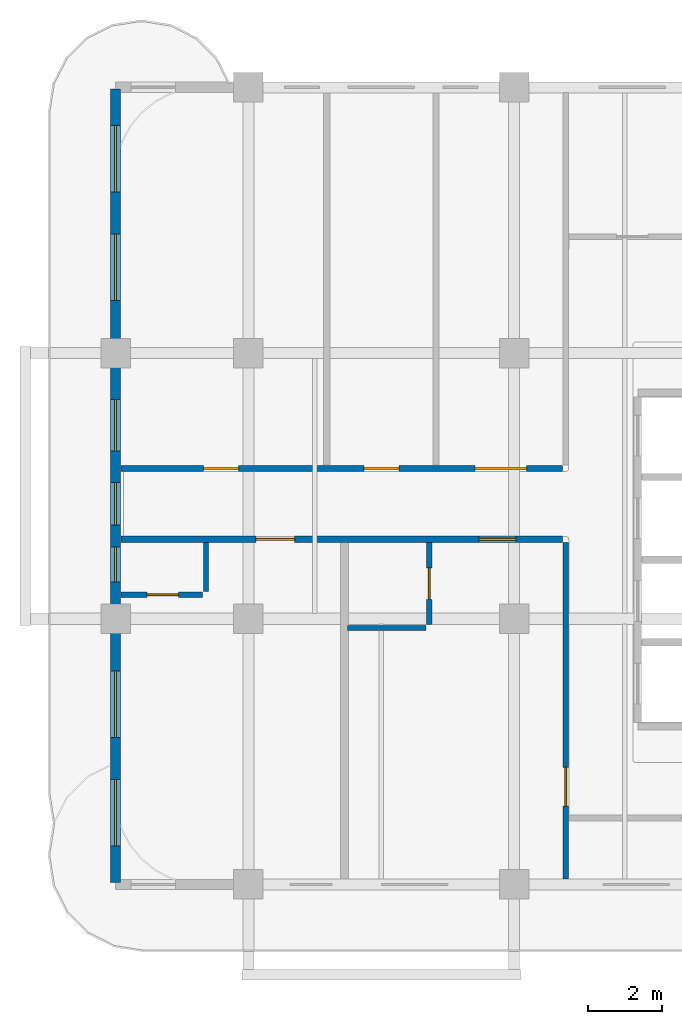
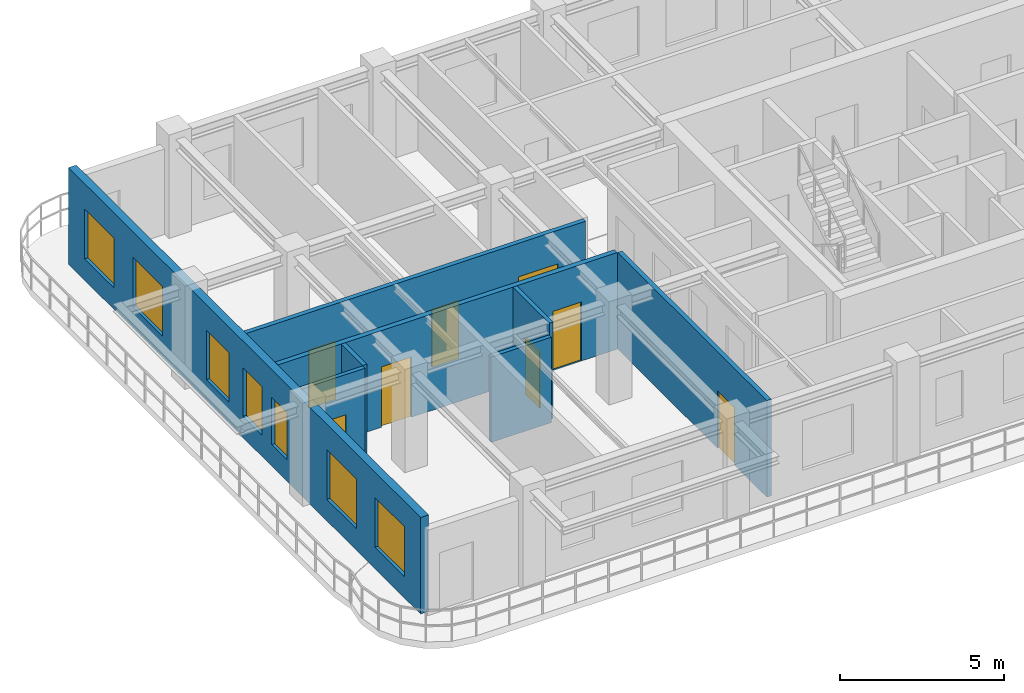
# One storey, part 2 of 7: 8 doors, 8 walls, 7 windows, 15 openings.
"""IFC4 building model written with IfcOpenShell, lengths in metres."""

from ifc_helpers import new_model, si_unit, derived_unit, direction, frame, frame_2d, origin, place, context, subcontext, project, spatial, rectangle, extrude, source, transform, mapped, material, layer, layer_set, type_object, type_shapes, element, fill, save


model = new_model("IFC4")

# Units and contexts
model_context = context("Model", 3, precision=1e-05, world=origin(), true_north=direction((0.0, 1.0)))
body_context = subcontext(model_context, "Body", "Model", "MODEL_VIEW")
ifc_project = project(units=[si_unit("LENGTHUNIT", "METRE"), si_unit("AREAUNIT", "SQUARE_METRE"), si_unit("VOLUMEUNIT", "CUBIC_METRE"), si_unit("PLANEANGLEUNIT", "RADIAN"), si_unit("MASSUNIT", "GRAM", prefix="KILO"), si_unit("THERMODYNAMICTEMPERATUREUNIT", "KELVIN"), si_unit("POWERUNIT", "WATT"), derived_unit("THERMALTRANSMITTANCEUNIT", [(si_unit("POWERUNIT", "WATT"), 1), (si_unit("AREAUNIT", "SQUARE_METRE"), -1), (si_unit("THERMODYNAMICTEMPERATUREUNIT", "KELVIN"), -1)])], contexts=[model_context])

# Site, building, storey
site_placement = place(None, origin())
site = spatial("IfcSite", under=ifc_project, at=site_placement, CompositionType="ELEMENT")
building_placement = place(site_placement, origin())
building = spatial("IfcBuilding", under=site, at=building_placement, Name="Zahravan Archway Hotel and Residences", CompositionType="ELEMENT")
storey_placement = place(building_placement, frame((0.0, 0.0, 267.35009765625)))
storey = spatial("IfcBuildingStorey", under=building, at=storey_placement, Name="L67", CompositionType="ELEMENT", Elevation=267.35009765625)

# Wall, openings, windows
ifc_material_1 = material(Name="Honed Red-Ochre Sandstone & Insulated Block", Category="masonry")
ifc_layer_1 = layer(ifc_material_1, 0.280029296875, Name="Honed Red-Ochre Sandstone & Insulated Block", Category="masonry")
ifc_layer_set_1 = layer_set([ifc_layer_1], Name="Honed Red-Ochre Sandstone & Insulated Block")
wall_type_1 = type_object("IfcWallType", Name="EW-LOG-280", PredefinedType="SOLIDWALL", material=ifc_layer_set_1)
wall_1_placement = place(storey_placement, frame((18.0, 0.050048828125, 0.0), z_axis=(0.0, 0.0, 1.0), x_axis=(0.0, 1.0, 0.0)))
wall_1 = element("IfcWall", 1, at=wall_1_placement, inside=storey, type_object=wall_type_1, Name="L67 Exterior Sandstone Wall WA-W", PredefinedType="SOLIDWALL", context=body_context, shape_type="SweptSolid", body=[
    extrude(rectangle(XDim=21.5, YDim=0.280029296875, at=frame_2d((10.75, 0.0))), origin(), (0.0, 0.0, 1.0), 3.599853515625),
])
opening_1_placement = place(wall_1_placement, frame((0.989990234375, 0.0, 0.800048828125)))
opening_1 = element("IfcOpeningElement", 2, at=opening_1_placement, cuts=wall_1, Name="Opening W-02", PredefinedType="OPENING", context=body_context, shape_type="SweptSolid", body=[
    extrude(rectangle(XDim=1.800048828125, YDim=1.85009765625, at=frame_2d((0.89990234375, 0.925048828125))), frame((0.0, 0.14990234375, 0.0), z_axis=(0.0, -1.0, 0.0), x_axis=(1.0, 0.0, 0.0)), (0.0, 0.0, 1.0), 0.300048828125),
])
opening_2_placement = place(wall_1_placement, frame((3.929931640625, 0.0, 0.800048828125)))
opening_2 = element("IfcOpeningElement", 3, at=opening_2_placement, cuts=wall_1, Name="Opening W-02", PredefinedType="OPENING", context=body_context, shape_type="SweptSolid", body=[
    extrude(rectangle(XDim=1.800048828125, YDim=1.85009765625, at=frame_2d((0.89990234375, 0.925048828125))), frame((0.0, 0.14990234375, 0.0), z_axis=(0.0, -1.0, 0.0), x_axis=(1.0, 0.0, 0.0)), (0.0, 0.0, 1.0), 0.300048828125),
])
opening_3_placement = place(wall_1_placement, frame((8.14599609375, 0.0, 0.800048828125)))
opening_3 = element("IfcOpeningElement", 4, at=opening_3_placement, cuts=wall_1, Name="Opening W-04", PredefinedType="OPENING", context=body_context, shape_type="SweptSolid", body=[
    extrude(rectangle(XDim=0.949951171875, YDim=1.75, at=frame_2d((0.47509765625, 0.875))), frame((0.0, 0.14990234375, 0.0), z_axis=(0.0, -1.0, 0.0), x_axis=(1.0, 0.0, 0.0)), (0.0, 0.0, 1.0), 0.300048828125),
])
opening_4_placement = place(wall_1_placement, frame((9.68505859375, 0.0, 0.800048828125)))
opening_4 = element("IfcOpeningElement", 5, at=opening_4_placement, cuts=wall_1, Name="Opening W-05", PredefinedType="OPENING", context=body_context, shape_type="SweptSolid", body=[
    extrude(rectangle(XDim=1.14990234375, YDim=1.800048828125, at=frame_2d((0.574951171875, 0.89990234375))), frame((0.0, 0.14990234375, 0.0), z_axis=(0.0, -1.0, 0.0), x_axis=(1.0, 0.0, 0.0)), (0.0, 0.0, 1.0), 0.300048828125),
])
opening_5_placement = place(wall_1_placement, frame((11.68896484375, 0.0, 0.800048828125)))
opening_5 = element("IfcOpeningElement", 6, at=opening_5_placement, cuts=wall_1, Name="Opening W-03", PredefinedType="OPENING", context=body_context, shape_type="SweptSolid", body=[
    extrude(rectangle(XDim=1.39990234375, YDim=1.85009765625, at=frame_2d((0.699951171875, 0.925048828125))), frame((0.0, 0.14990234375, 0.0), z_axis=(0.0, -1.0, 0.0), x_axis=(1.0, 0.0, 0.0)), (0.0, 0.0, 1.0), 0.300048828125),
])
opening_6_placement = place(wall_1_placement, frame((15.77001953125, 0.0, 0.800048828125)))
opening_6 = element("IfcOpeningElement", 7, at=opening_6_placement, cuts=wall_1, Name="Opening W-02", PredefinedType="OPENING", context=body_context, shape_type="SweptSolid", body=[
    extrude(rectangle(XDim=1.800048828125, YDim=1.85009765625, at=frame_2d((0.89990234375, 0.925048828125))), frame((0.0, 0.14990234375, 0.0), z_axis=(0.0, -1.0, 0.0), x_axis=(1.0, 0.0, 0.0)), (0.0, 0.0, 1.0), 0.300048828125),
])
opening_7_placement = place(wall_1_placement, frame((18.7099609375, 0.0, 0.800048828125)))
opening_7 = element("IfcOpeningElement", 8, at=opening_7_placement, cuts=wall_1, Name="Opening W-02", PredefinedType="OPENING", context=body_context, shape_type="SweptSolid", body=[
    extrude(rectangle(XDim=1.800048828125, YDim=1.85009765625, at=frame_2d((0.89990234375, 0.925048828125))), frame((0.0, 0.14990234375, 0.0), z_axis=(0.0, -1.0, 0.0), x_axis=(1.0, 0.0, 0.0)), (0.0, 0.0, 1.0), 0.300048828125),
])
ifc_material_2 = material(Name="Bronze-Anodized Thermal-Break Aluminium & Low-E Glass", Category="aluminium")
window_type_1 = type_object("IfcWindowType", Name="WIN-TWR-1400", PartitioningType="SINGLE_PANEL", PredefinedType="WINDOW", material=ifc_material_2)
shared_shape_1 = source(origin(), body_context, "Body", "SweptSolid", [
    extrude(rectangle(XDim=1.39990234375, YDim=1.85009765625, at=frame_2d((0.699951171875, 0.925048828125))), frame((0.0, 0.030029296875, 0.0), z_axis=(0.0, -1.0, 0.0), x_axis=(1.0, 0.0, 0.0)), (0.0, 0.0, 1.0), 0.06005859375),
])
type_shapes(window_type_1, [shared_shape_1])
window_1_placement = place(opening_5_placement, origin())
window_1 = element("IfcWindow", 9, at=window_1_placement, inside=storey, type_object=window_type_1, Name="L67 Loggia Window 21", OverallHeight=1.85009765625, OverallWidth=1.39990234375, PartitioningType="SINGLE_PANEL", PredefinedType="WINDOW", context=body_context, shape_type="MappedRepresentation", body=[
    mapped(shared_shape_1, transform((0.0, 0.0, 0.0), scale=1.0)),
])
fill(opening_5, window_1)
window_type_2 = type_object("IfcWindowType", Name="WIN-NAR-950", PartitioningType="SINGLE_PANEL", PredefinedType="WINDOW", material=ifc_material_2)
shared_shape_2 = source(origin(), body_context, "Body", "SweptSolid", [
    extrude(rectangle(XDim=0.949951171875, YDim=1.75, at=frame_2d((0.47509765625, 0.875))), frame((0.0, 0.030029296875, 0.0), z_axis=(0.0, -1.0, 0.0), x_axis=(1.0, 0.0, 0.0)), (0.0, 0.0, 1.0), 0.06005859375),
])
type_shapes(window_type_2, [shared_shape_2])
window_2_placement = place(opening_3_placement, origin())
window_2 = element("IfcWindow", 10, at=window_2_placement, inside=storey, type_object=window_type_2, Name="L67 Loggia Window 19", OverallHeight=1.75, OverallWidth=0.949951171875, PartitioningType="SINGLE_PANEL", PredefinedType="WINDOW", context=body_context, shape_type="MappedRepresentation", body=[
    mapped(shared_shape_2, transform((0.0, 0.0, 0.0), scale=1.0)),
])
fill(opening_3, window_2)
window_type_3 = type_object("IfcWindowType", Name="WIN-TWR-1800", PartitioningType="DOUBLE_PANEL_VERTICAL", PredefinedType="WINDOW", material=ifc_material_2)
shared_shape_3 = source(origin(), body_context, "Body", "SweptSolid", [
    extrude(rectangle(XDim=1.800048828125, YDim=1.85009765625, at=frame_2d((0.89990234375, 0.925048828125))), frame((0.0, 0.030029296875, 0.0), z_axis=(0.0, -1.0, 0.0), x_axis=(1.0, 0.0, 0.0)), (0.0, 0.0, 1.0), 0.06005859375),
])
type_shapes(window_type_3, [shared_shape_3])
window_3_placement = place(opening_1_placement, origin())
window_3 = element("IfcWindow", 11, at=window_3_placement, inside=storey, type_object=window_type_3, Name="L67 Loggia Window 17", OverallHeight=1.85009765625, OverallWidth=1.800048828125, PartitioningType="DOUBLE_PANEL_VERTICAL", PredefinedType="WINDOW", context=body_context, shape_type="MappedRepresentation", body=[
    mapped(shared_shape_3, transform((0.0, 0.0, 0.0), scale=1.0)),
])
fill(opening_1, window_3)
window_4_placement = place(opening_2_placement, origin())
window_4 = element("IfcWindow", 12, at=window_4_placement, inside=storey, type_object=window_type_3, Name="L67 Loggia Window 18", OverallHeight=1.85009765625, OverallWidth=1.800048828125, PartitioningType="DOUBLE_PANEL_VERTICAL", PredefinedType="WINDOW", context=body_context, shape_type="MappedRepresentation", body=[
    mapped(shared_shape_3, transform((0.0, 0.0, 0.0), scale=1.0)),
])
fill(opening_2, window_4)
window_5_placement = place(opening_6_placement, origin())
window_5 = element("IfcWindow", 13, at=window_5_placement, inside=storey, type_object=window_type_3, Name="L67 Loggia Window 22", OverallHeight=1.85009765625, OverallWidth=1.800048828125, PartitioningType="DOUBLE_PANEL_VERTICAL", PredefinedType="WINDOW", context=body_context, shape_type="MappedRepresentation", body=[
    mapped(shared_shape_3, transform((0.0, 0.0, 0.0), scale=1.0)),
])
fill(opening_6, window_5)
window_6_placement = place(opening_7_placement, origin())
window_6 = element("IfcWindow", 14, at=window_6_placement, inside=storey, type_object=window_type_3, Name="L67 Loggia Window 23", OverallHeight=1.85009765625, OverallWidth=1.800048828125, PartitioningType="DOUBLE_PANEL_VERTICAL", PredefinedType="WINDOW", context=body_context, shape_type="MappedRepresentation", body=[
    mapped(shared_shape_3, transform((0.0, 0.0, 0.0), scale=1.0)),
])
fill(opening_7, window_6)
window_type_4 = type_object("IfcWindowType", Name="WIN-TWR-1150", PartitioningType="SINGLE_PANEL", PredefinedType="WINDOW", material=ifc_material_2)
shared_shape_4 = source(origin(), body_context, "Body", "SweptSolid", [
    extrude(rectangle(XDim=1.14990234375, YDim=1.800048828125, at=frame_2d((0.574951171875, 0.89990234375))), frame((0.0, 0.030029296875, 0.0), z_axis=(0.0, -1.0, 0.0), x_axis=(1.0, 0.0, 0.0)), (0.0, 0.0, 1.0), 0.06005859375),
])
type_shapes(window_type_4, [shared_shape_4])
window_7_placement = place(opening_4_placement, origin())
window_7 = element("IfcWindow", 15, at=window_7_placement, inside=storey, type_object=window_type_4, Name="L67 Loggia Window 20", OverallHeight=1.800048828125, OverallWidth=1.14990234375, PartitioningType="SINGLE_PANEL", PredefinedType="WINDOW", context=body_context, shape_type="MappedRepresentation", body=[
    mapped(shared_shape_4, transform((0.0, 0.0, 0.0), scale=1.0)),
])
fill(opening_4, window_7)

# Wall, openings, doors
ifc_material_3 = material(Name="Fire-Rated Gypsum & Concrete Block", Category="concrete")
ifc_layer_2 = layer(ifc_material_3, 0.159912109375, Name="Fire-Rated Gypsum & Concrete Block", Category="concrete")
ifc_layer_set_2 = layer_set([ifc_layer_2], Name="Fire-Rated Gypsum & Concrete Block")
wall_type_2 = type_object("IfcWallType", Name="PW-CORR-160", PredefinedType="PARTITIONING", material=ifc_layer_set_2)
wall_2_placement = place(storey_placement, frame((18.14794921875, 11.27001953125, 0.0), z_axis=(0.0, 0.0, 1.0), x_axis=(1.0, 0.0, 0.0)))
wall_2 = element("IfcWall", 16, at=wall_2_placement, inside=storey, type_object=wall_type_2, Name="L67 Partition WA-CN", PredefinedType="PARTITIONING", context=body_context, shape_type="SweptSolid", body=[
    extrude(rectangle(XDim=11.962158203125, YDim=0.159912109375, at=frame_2d((5.98095703125, 0.0))), origin(), (0.0, 0.0, 1.0), 3.599853515625),
])
opening_8_placement = place(wall_2_placement, frame((2.237060546875, 0.0, 0.0)))
opening_8 = element("IfcOpeningElement", 17, at=opening_8_placement, cuts=wall_2, Name="Opening D-I1", PredefinedType="OPENING", context=body_context, shape_type="SweptSolid", body=[
    extrude(rectangle(XDim=0.949951171875, YDim=2.14990234375, at=frame_2d((0.47509765625, 1.074951171875))), frame((0.0, 0.08984375, 0.0), z_axis=(0.0, -1.0, 0.0), x_axis=(1.0, 0.0, 0.0)), (0.0, 0.0, 1.0), 0.179931640625),
])
opening_9_placement = place(wall_2_placement, frame((6.576904296875, 0.0, 0.0)))
opening_9 = element("IfcOpeningElement", 18, at=opening_9_placement, cuts=wall_2, Name="Opening D-I1", PredefinedType="OPENING", context=body_context, shape_type="SweptSolid", body=[
    extrude(rectangle(XDim=0.949951171875, YDim=2.14990234375, at=frame_2d((0.47509765625, 1.074951171875))), frame((0.0, 0.08984375, 0.0), z_axis=(0.0, -1.0, 0.0), x_axis=(1.0, 0.0, 0.0)), (0.0, 0.0, 1.0), 0.179931640625),
])
opening_10_placement = place(wall_2_placement, frame((9.592041015625, 0.0, 0.0)))
opening_10 = element("IfcOpeningElement", 19, at=opening_10_placement, cuts=wall_2, Name="Opening D-P1", PredefinedType="OPENING", context=body_context, shape_type="SweptSolid", body=[
    extrude(rectangle(XDim=1.39990234375, YDim=2.35009765625, at=frame_2d((0.699951171875, 1.175048828125))), frame((0.0, 0.08984375, 0.0), z_axis=(0.0, -1.0, 0.0), x_axis=(1.0, 0.0, 0.0)), (0.0, 0.0, 1.0), 0.179931640625),
])
ifc_material_4 = material(Name="Bronze-Anodized Glazed Aluminium", Category="aluminium")
door_type_1 = type_object("IfcDoorType", Name="ID-PUBLIC-1400", OperationType="DOUBLE_DOOR_SINGLE_SWING", PredefinedType="DOOR", material=ifc_material_4)
shared_shape_5 = source(origin(), body_context, "Body", "SweptSolid", [
    extrude(rectangle(XDim=1.39990234375, YDim=2.35009765625, at=frame_2d((0.699951171875, 1.175048828125))), frame((0.0, 0.02490234375, 0.0), z_axis=(0.0, -1.0, 0.0), x_axis=(1.0, 0.0, 0.0)), (0.0, 0.0, 1.0), 0.050048828125),
])
type_shapes(door_type_1, [shared_shape_5])
door_1_placement = place(opening_10_placement, origin())
door_1 = element("IfcDoor", 20, at=door_1_placement, inside=storey, type_object=door_type_1, Name="L67 North Dining Door", OperationType="DOUBLE_DOOR_SINGLE_SWING", OverallHeight=2.35009765625, OverallWidth=1.39990234375, PredefinedType="DOOR", context=body_context, shape_type="MappedRepresentation", body=[
    mapped(shared_shape_5, transform((0.0, 0.0, 0.0), scale=1.0)),
])
fill(opening_10, door_1)
ifc_material_5 = material(Name="Hardwood Veneer Timber", Category="wood")
door_type_2 = type_object("IfcDoorType", Name="ID-INT-950", OperationType="NOTDEFINED", PredefinedType="DOOR", material=ifc_material_5)
shared_shape_6 = source(origin(), body_context, "Body", "SweptSolid", [
    extrude(rectangle(XDim=0.949951171875, YDim=2.14990234375, at=frame_2d((0.47509765625, 1.074951171875))), frame((0.0, 0.02490234375, 0.0), z_axis=(0.0, -1.0, 0.0), x_axis=(1.0, 0.0, 0.0)), (0.0, 0.0, 1.0), 0.050048828125),
])
type_shapes(door_type_2, [shared_shape_6])
door_2_placement = place(opening_8_placement, origin())
door_2 = element("IfcDoor", 21, at=door_2_placement, inside=storey, type_object=door_type_2, Name="L67 North Study Door", OperationType="SINGLE_SWING_RIGHT", OverallHeight=2.14990234375, OverallWidth=0.949951171875, PredefinedType="DOOR", context=body_context, shape_type="MappedRepresentation", body=[
    mapped(shared_shape_6, transform((0.0, 0.0, 0.0), scale=1.0)),
])
fill(opening_8, door_2)
door_3_placement = place(opening_9_placement, origin())
door_3 = element("IfcDoor", 22, at=door_3_placement, inside=storey, type_object=door_type_2, Name="L67 North Clinic Door", OperationType="SINGLE_SWING_LEFT", OverallHeight=2.14990234375, OverallWidth=0.949951171875, PredefinedType="DOOR", context=body_context, shape_type="MappedRepresentation", body=[
    mapped(shared_shape_6, transform((0.0, 0.0, 0.0), scale=1.0)),
])
fill(opening_9, door_3)

# Wall, opening, door
wall_3_placement = place(storey_placement, frame((30.199951171875, 0.14794921875, 0.0), z_axis=(0.0, 0.0, 1.0), x_axis=(0.0, 1.0, 0.0)))
wall_3 = element("IfcWall", 23, at=wall_3_placement, inside=storey, type_object=wall_type_2, Name="L67 Partition WA-SRW", PredefinedType="PARTITIONING", context=body_context, shape_type="SweptSolid", body=[
    extrude(rectangle(XDim=9.112060546875, YDim=0.159912109375, at=frame_2d((4.55615234375, 0.0))), origin(), (0.0, 0.0, 1.0), 3.599853515625),
])
opening_11_placement = place(wall_3_placement, frame((1.97705078125, 0.0, 0.0)))
opening_11 = element("IfcOpeningElement", 24, at=opening_11_placement, cuts=wall_3, Name="Opening FD-L2", PredefinedType="OPENING", context=body_context, shape_type="SweptSolid", body=[
    extrude(rectangle(XDim=1.050048828125, YDim=2.14990234375, at=frame_2d((0.52490234375, 1.074951171875))), frame((0.0, 0.08984375, 0.0), z_axis=(0.0, -1.0, 0.0), x_axis=(1.0, 0.0, 0.0)), (0.0, 0.0, 1.0), 0.179931640625),
])
ifc_material_6 = material(Name="Fire-Rated Painted Steel", Category="steel")
door_type_3 = type_object("IfcDoorType", Name="FD-LOBBY-1100", OperationType="NOTDEFINED", PredefinedType="DOOR", material=ifc_material_6)
shared_shape_7 = source(origin(), body_context, "Body", "SweptSolid", [
    extrude(rectangle(XDim=1.050048828125, YDim=2.14990234375, at=frame_2d((0.52490234375, 1.074951171875))), frame((0.0, 0.02490234375, 0.0), z_axis=(0.0, -1.0, 0.0), x_axis=(1.0, 0.0, 0.0)), (0.0, 0.0, 1.0), 0.050048828125),
])
type_shapes(door_type_3, [shared_shape_7])
door_4_placement = place(opening_11_placement, origin())
door_4 = element("IfcDoor", 25, at=door_4_placement, inside=storey, type_object=door_type_3, Name="L67 South Riser Corridor Door", OperationType="SINGLE_SWING_LEFT", OverallHeight=2.14990234375, OverallWidth=1.050048828125, PredefinedType="DOOR", context=body_context, shape_type="MappedRepresentation", body=[
    mapped(shared_shape_7, transform((0.0, 0.0, 0.0), scale=1.0)),
])
fill(opening_11, door_4)

# Wall, openings, doors
ifc_layer_3 = layer(ifc_material_3, 0.179931640625, Name="Fire-Rated Gypsum & Concrete Block", Category="concrete")
ifc_layer_set_3 = layer_set([ifc_layer_3], Name="Fire-Rated Gypsum & Concrete Block")
wall_type_3 = type_object("IfcWallType", Name="PW-CORR-180", PredefinedType="PARTITIONING", material=ifc_layer_set_3)
wall_4_placement = place(storey_placement, frame((18.14794921875, 9.35009765625, 0.0), z_axis=(0.0, 0.0, 1.0), x_axis=(1.0, 0.0, 0.0)))
wall_4 = element("IfcWall", 26, at=wall_4_placement, inside=storey, type_object=wall_type_3, Name="L67 Partition WA-CS", PredefinedType="PARTITIONING", context=body_context, shape_type="SweptSolid", body=[
    extrude(rectangle(XDim=11.962158203125, YDim=0.179931640625, at=frame_2d((5.98095703125, 0.0))), origin(), (0.0, 0.0, 1.0), 3.599853515625),
])
opening_12_placement = place(wall_4_placement, frame((3.652099609375, 0.0, 0.0)))
opening_12 = element("IfcOpeningElement", 27, at=opening_12_placement, cuts=wall_4, Name="Opening D-U1", PredefinedType="OPENING", context=body_context, shape_type="SweptSolid", body=[
    extrude(rectangle(XDim=1.050048828125, YDim=2.25, at=frame_2d((0.52490234375, 1.125))), frame((0.0, 0.10009765625, 0.0), z_axis=(0.0, -1.0, 0.0), x_axis=(1.0, 0.0, 0.0)), (0.0, 0.0, 1.0), 0.199951171875),
])
opening_13_placement = place(wall_4_placement, frame((9.701904296875, 0.0, 0.0)))
opening_13 = element("IfcOpeningElement", 28, at=opening_13_placement, cuts=wall_4, Name="Opening D-U2", PredefinedType="OPENING", context=body_context, shape_type="SweptSolid", body=[
    extrude(rectangle(XDim=1.0, YDim=2.199951171875, at=frame_2d((0.5, 1.10009765625))), frame((0.0, 0.10009765625, 0.0), z_axis=(0.0, -1.0, 0.0), x_axis=(1.0, 0.0, 0.0)), (0.0, 0.0, 1.0), 0.199951171875),
])
door_type_4 = type_object("IfcDoorType", Name="ID-UNIT-1050", OperationType="NOTDEFINED", PredefinedType="DOOR", material=ifc_material_5)
shared_shape_8 = source(origin(), body_context, "Body", "SweptSolid", [
    extrude(rectangle(XDim=1.050048828125, YDim=2.25, at=frame_2d((0.52490234375, 1.125))), frame((0.0, 0.02490234375, 0.0), z_axis=(0.0, -1.0, 0.0), x_axis=(1.0, 0.0, 0.0)), (0.0, 0.0, 1.0), 0.050048828125),
])
type_shapes(door_type_4, [shared_shape_8])
door_5_placement = place(opening_12_placement, origin())
door_5 = element("IfcDoor", 29, at=door_5_placement, inside=storey, type_object=door_type_4, Name="L67 Hotel Guestroom 92 Entrance Door", OperationType="SINGLE_SWING_LEFT", OverallHeight=2.25, OverallWidth=1.050048828125, PredefinedType="DOOR", context=body_context, shape_type="MappedRepresentation", body=[
    mapped(shared_shape_8, transform((0.0, 0.0, 0.0), scale=1.0)),
])
fill(opening_12, door_5)
door_type_5 = type_object("IfcDoorType", Name="ID-UNIT-1000", OperationType="NOTDEFINED", PredefinedType="DOOR", material=ifc_material_5)
shared_shape_9 = source(origin(), body_context, "Body", "SweptSolid", [
    extrude(rectangle(XDim=1.0, YDim=2.199951171875, at=frame_2d((0.5, 1.10009765625))), frame((0.0, 0.02490234375, 0.0), z_axis=(0.0, -1.0, 0.0), x_axis=(1.0, 0.0, 0.0)), (0.0, 0.0, 1.0), 0.050048828125),
])
type_shapes(door_type_5, [shared_shape_9])
door_6_placement = place(opening_13_placement, origin())
door_6 = element("IfcDoor", 30, at=door_6_placement, inside=storey, type_object=door_type_5, Name="L67 Hotel Guestroom 93 Entrance Door", OperationType="SINGLE_SWING_LEFT", OverallHeight=2.199951171875, OverallWidth=1.0, PredefinedType="DOOR", context=body_context, shape_type="MappedRepresentation", body=[
    mapped(shared_shape_9, transform((0.0, 0.0, 0.0), scale=1.0)),
])
fill(opening_13, door_6)

# Wall
ifc_material_7 = material(Name="Moisture-Resistant Blockwork", Category="masonry")
ifc_layer_4 = layer(ifc_material_7, 0.139892578125, Name="Moisture-Resistant Blockwork", Category="masonry")
ifc_layer_set_4 = layer_set([ifc_layer_4], Name="Moisture-Resistant Blockwork")
wall_type_4 = type_object("IfcWallType", Name="PW-WET-140", PredefinedType="PARTITIONING", material=ifc_layer_set_4)
wall_5_placement = place(storey_placement, frame((20.449951171875, 7.93994140625, 0.0), z_axis=(0.0, 0.0, 1.0), x_axis=(0.0, 1.0, 0.0)))
element("IfcWall", 31, at=wall_5_placement, inside=storey, type_object=wall_type_4, Name="L67 Partition HKB-V92", PredefinedType="PARTITIONING", context=body_context, shape_type="SweptSolid", body=[
    extrude(rectangle(XDim=1.320068359375, YDim=0.139892578125, at=frame_2d((0.66015625, 0.0))), origin(), (0.0, 0.0, 1.0), 3.599853515625),
])

# Wall, opening, door
wall_6_placement = place(storey_placement, frame((18.14794921875, 7.85009765625, 0.0), z_axis=(0.0, 0.0, 1.0), x_axis=(1.0, 0.0, 0.0)))
wall_6 = element("IfcWall", 32, at=wall_6_placement, inside=storey, type_object=wall_type_4, Name="L67 Partition HKB-H92", PredefinedType="PARTITIONING", context=body_context, shape_type="SweptSolid", body=[
    extrude(rectangle(XDim=2.212158203125, YDim=0.139892578125, at=frame_2d((1.10595703125, 0.0))), origin(), (0.0, 0.0, 1.0), 3.599853515625),
])
opening_14_placement = place(wall_6_placement, frame((0.701904296875, 0.0, 0.0)))
opening_14 = element("IfcOpeningElement", 33, at=opening_14_placement, cuts=wall_6, Name="Opening D-B1", PredefinedType="OPENING", context=body_context, shape_type="SweptSolid", body=[
    extrude(rectangle(XDim=0.85009765625, YDim=2.10009765625, at=frame_2d((0.425048828125, 1.050048828125))), frame((0.0, 0.080078125, 0.0), z_axis=(0.0, -1.0, 0.0), x_axis=(1.0, 0.0, 0.0)), (0.0, 0.0, 1.0), 0.159912109375),
])
door_type_6 = type_object("IfcDoorType", Name="ID-BATH-850", OperationType="NOTDEFINED", PredefinedType="DOOR", material=ifc_material_5)
shared_shape_10 = source(origin(), body_context, "Body", "SweptSolid", [
    extrude(rectangle(XDim=0.85009765625, YDim=2.10009765625, at=frame_2d((0.425048828125, 1.050048828125))), frame((0.0, 0.02490234375, 0.0), z_axis=(0.0, -1.0, 0.0), x_axis=(1.0, 0.0, 0.0)), (0.0, 0.0, 1.0), 0.050048828125),
])
type_shapes(door_type_6, [shared_shape_10])
door_7_placement = place(opening_14_placement, origin())
door_7 = element("IfcDoor", 34, at=door_7_placement, inside=storey, type_object=door_type_6, Name="L67 Guestroom 92 En-Suite Door", OperationType="SINGLE_SWING_RIGHT", OverallHeight=2.10009765625, OverallWidth=0.85009765625, PredefinedType="DOOR", context=body_context, shape_type="MappedRepresentation", body=[
    mapped(shared_shape_10, transform((0.0, 0.0, 0.0), scale=1.0)),
])
fill(opening_14, door_7)

wall_7_placement = place(storey_placement, frame((26.5, 7.0400390625, 0.0), z_axis=(0.0, 0.0, 1.0), x_axis=(0.0, 1.0, 0.0)))
wall_7 = element("IfcWall", 35, at=wall_7_placement, inside=storey, type_object=wall_type_4, Name="L67 Partition HKB-V93", PredefinedType="PARTITIONING", context=body_context, shape_type="SweptSolid", body=[
    extrude(rectangle(XDim=2.219970703125, YDim=0.139892578125, at=frame_2d((1.10986328125, 0.0))), origin(), (0.0, 0.0, 1.0), 3.599853515625),
])
opening_15_placement = place(wall_7_placement, frame((0.68505859375, 0.0, 0.0)))
opening_15 = element("IfcOpeningElement", 36, at=opening_15_placement, cuts=wall_7, Name="Opening D-B1", PredefinedType="OPENING", context=body_context, shape_type="SweptSolid", body=[
    extrude(rectangle(XDim=0.85009765625, YDim=2.10009765625, at=frame_2d((0.425048828125, 1.050048828125))), frame((0.0, 0.080078125, 0.0), z_axis=(0.0, -1.0, 0.0), x_axis=(1.0, 0.0, 0.0)), (0.0, 0.0, 1.0), 0.159912109375),
])
door_8_placement = place(opening_15_placement, origin())
door_8 = element("IfcDoor", 37, at=door_8_placement, inside=storey, type_object=door_type_6, Name="L67 Guestroom 93 En-Suite Door", OperationType="SINGLE_SWING_RIGHT", OverallHeight=2.10009765625, OverallWidth=0.85009765625, PredefinedType="DOOR", context=body_context, shape_type="MappedRepresentation", body=[
    mapped(shared_shape_10, transform((0.0, 0.0, 0.0), scale=1.0)),
])
fill(opening_15, door_8)

# Wall
wall_8_placement = place(storey_placement, frame((24.2900390625, 6.949951171875, 0.0), z_axis=(0.0, 0.0, 1.0), x_axis=(1.0, 0.0, 0.0)))
element("IfcWall", 38, at=wall_8_placement, inside=storey, type_object=wall_type_4, Name="L67 Partition HKB-H93", PredefinedType="PARTITIONING", context=body_context, shape_type="SweptSolid", body=[
    extrude(rectangle(XDim=2.119873046875, YDim=0.139892578125, at=frame_2d((1.06005859375, 0.0))), origin(), (0.0, 0.0, 1.0), 3.184814453125),
])

save(model, "model.ifc")
